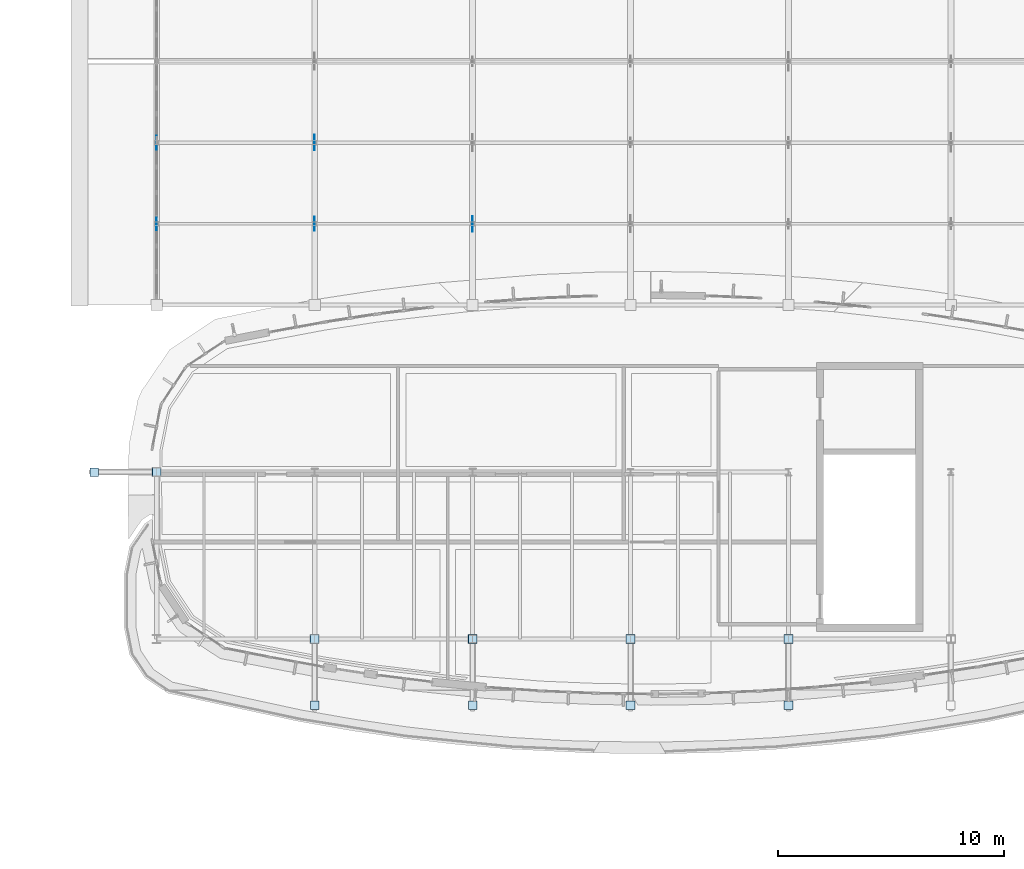
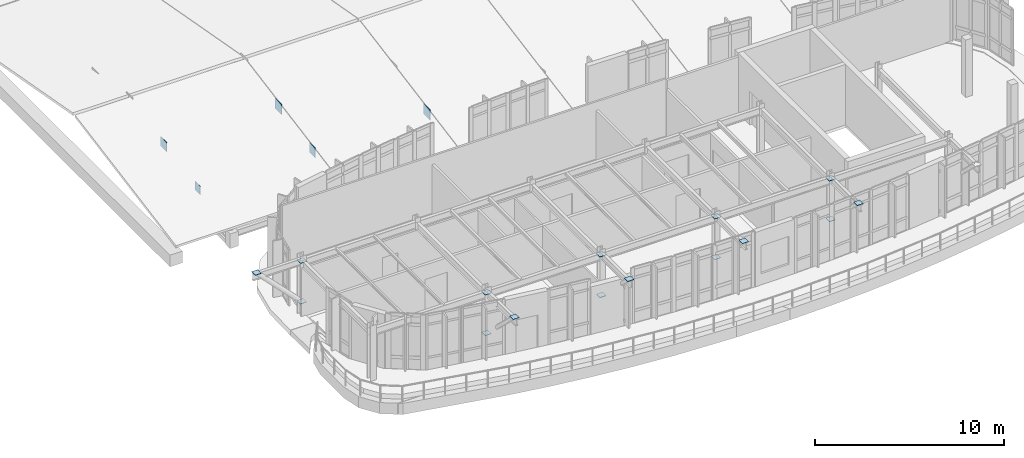
# One storey, part 80 of 105: 20 plates.
"""IFC4 building model written with IfcOpenShell, lengths in metres."""

import ifcopenshell
import ifcopenshell.guid

model = None  # the IFC model being written
_history = None  # IfcOwnerHistory: only IFC2X3 demands one
_inside = {}  # id of a spatial element -> (the spatial element, [elements in it])
_under = {}  # id of a project, library or spatial element -> (it, [spatial elements below it])
_declared = {}  # id of a project -> (the project, [libraries it declares])
_typed = {}  # id of a type object -> (the type object, [elements of that type])
_made_of = {}  # id of a material, layer set ... -> (it, [elements and type objects made of it])


def new_model(schema):
    """Start an empty IFC model of exactly this schema.

    Asked for "IFC4X3", IfcOpenShell would pick the latest addendum, in which some entities
    have other attributes; the version numbers below select the first issue.
    IFC2X3 requires an IfcOwnerHistory on every rooted entity: one is made here for all.
    """
    global model, _history
    if schema == "IFC4X3":
        model = ifcopenshell.file(schema_version=(4, 3, 0, 0))
    else:
        model = ifcopenshell.file(schema=schema)
    _inside.clear()
    _under.clear()
    _declared.clear()
    _typed.clear()
    _made_of.clear()
    _history = None
    if model.schema == "IFC2X3":
        org = make("IfcOrganization", Name="unknown")
        user = make(
            "IfcPersonAndOrganization",
            ThePerson=make("IfcPerson", FamilyName="unknown"),
            TheOrganization=org,
        )
        app = make(
            "IfcApplication",
            ApplicationDeveloper=org,
            Version="unknown",
            ApplicationFullName="unknown",
            ApplicationIdentifier="unknown",
        )
        _history = make(
            "IfcOwnerHistory",
            OwningUser=user,
            OwningApplication=app,
            ChangeAction="ADDED",
            CreationDate=0,
        )
    return model


def make(cls, **values):
    """One entity of the class cls with the attributes given. An attribute that is None is left unset."""
    return model.create_entity(
        cls, **{name: value for name, value in values.items() if value is not None}
    )


def rooted(cls, **values):
    """An entity with a GlobalId (a new one), such as an element, a storey or a relation."""
    return make(cls, GlobalId=ifcopenshell.guid.new(), OwnerHistory=_history, **values)


def si_unit(unit_type, name, prefix=None):
    """IfcSIUnit, for example si_unit("LENGTHUNIT", "METRE", prefix="MILLI")."""
    return make("IfcSIUnit", UnitType=unit_type, Prefix=prefix, Name=name)


def assignment(units):
    """IfcUnitAssignment: the units of a project."""
    return None if units is None else make("IfcUnitAssignment", Units=units)


def point(xyz):
    """IfcCartesianPoint."""
    return None if xyz is None else make("IfcCartesianPoint", Coordinates=xyz)


def direction(xyz):
    """IfcDirection."""
    return None if xyz is None else make("IfcDirection", DirectionRatios=xyz)


def frame(location, z_axis=None, x_axis=None):
    """IfcAxis2Placement3D, a coordinate frame: its origin and axes. An axis left out is left unset."""
    return make(
        "IfcAxis2Placement3D",
        Location=point(location),
        Axis=direction(z_axis),
        RefDirection=direction(x_axis),
    )


def frame_2d(location, x_axis=None):
    """IfcAxis2Placement2D, a coordinate frame in the plane: its origin and x axis."""
    return make(
        "IfcAxis2Placement2D", Location=point(location), RefDirection=direction(x_axis)
    )


def origin():
    """The frame at (0, 0, 0) with its axes left unset."""
    return frame((0.0, 0.0, 0.0))


def origin_2d():
    """The frame at (0, 0) in the plane with its x axis left unset."""
    return frame_2d((0.0, 0.0))


def place(relative_to, where):
    """IfcLocalPlacement: puts the frame where relative to a parent placement (None: the world)."""
    return make(
        "IfcLocalPlacement", PlacementRelTo=relative_to, RelativePlacement=where
    )


def context(
    kind, dimensions, precision=None, world=None, true_north=None, identifier=None
):
    """IfcGeometricRepresentationContext, for example the 3D "Model" context."""
    return make(
        "IfcGeometricRepresentationContext",
        ContextIdentifier=identifier,
        ContextType=kind,
        CoordinateSpaceDimension=dimensions,
        Precision=precision,
        WorldCoordinateSystem=world,
        TrueNorth=true_north,
    )


def subcontext(parent, identifier, kind, view, scale=None):
    """IfcGeometricRepresentationSubContext, for example "Body" below "Model"."""
    return make(
        "IfcGeometricRepresentationSubContext",
        ContextIdentifier=identifier,
        ContextType=kind,
        ParentContext=parent,
        TargetScale=scale,
        TargetView=view,
    )


def project(units=None, contexts=None):
    """IfcProject with its units and contexts."""
    return rooted(
        "IfcProject",
        Name="project",
        RepresentationContexts=contexts,
        UnitsInContext=assignment(units),
    )


def spatial(cls, under=None, at=None, **own):
    """A site, building, storey or space (cls), placed at a placement, below another one or the project."""
    s = rooted(cls, ObjectPlacement=at, **own)
    if under is not None:
        _under.setdefault(under.id(), (under, []))[1].append(s)
    return s


def profile(cls, at=None, kind="AREA", **sizes):
    """A parametric profile (cls). Its sizes go by their IFC names, for example OverallWidth=200.0."""
    return make(cls, ProfileType=kind, Position=at, **sizes)


def rectangle(**sizes):
    """IfcRectangleProfileDef."""
    return profile("IfcRectangleProfileDef", **sizes)


def extrude(swept, where, along, depth):
    """IfcExtrudedAreaSolid: the profile swept, set in the frame where, extruded along a direction by depth."""
    return make(
        "IfcExtrudedAreaSolid",
        SweptArea=swept,
        Position=where,
        ExtrudedDirection=direction(along),
        Depth=depth,
    )


def shape(context_of_items, identifier, shape_type, items):
    """IfcShapeRepresentation: the items that make up one representation, for example the "Body"."""
    return make(
        "IfcShapeRepresentation",
        ContextOfItems=context_of_items,
        RepresentationIdentifier=identifier,
        RepresentationType=shape_type,
        Items=items,
    )


def material(Name=None, Category=None):
    """IfcMaterial."""
    return make("IfcMaterial", Name=Name, Category=Category)


def layer(
    of_material, thickness, ventilated=None, Name=None, Category=None, Priority=None
):
    """IfcMaterialLayer: one layer of a wall or slab, of a material (None: an air gap)."""
    return make(
        "IfcMaterialLayer",
        Material=of_material,
        LayerThickness=thickness,
        IsVentilated=ventilated,
        Name=Name,
        Category=Category,
        Priority=Priority,
    )


def layer_set(layers, Name=None):
    """IfcMaterialLayerSet."""
    return make("IfcMaterialLayerSet", MaterialLayers=layers, LayerSetName=Name)


def made_of(thing, what):
    """Note that an element or type object is made of a material, layer set ...; save() writes the relation."""
    if what is not None:
        _made_of.setdefault(what.id(), (what, []))[1].append(thing)
    return thing


def type_object(cls, material=None, **own):
    """A type object (cls), such as IfcWallType, which elements share."""
    return made_of(rooted(cls, **own), material)


def element(
    cls,
    number,
    at=None,
    inside=None,
    cuts=None,
    type_object=None,
    material=None,
    context=None,
    identifier="Body",
    shape_type=None,
    held_by="IfcProductDefinitionShape",
    body=None,
    shapes=None,
    **own,
):
    """One element of the class cls, such as IfcWall. Its Tag is "e" and its number.

    at: its placement. inside: the storey or other place that contains it. cuts: it is an
    opening in that element (IfcRelVoidsElement). A single representation is given by context,
    identifier, shape_type and body (its items); several are given by shapes. held_by: the class
    of the entity that holds the representations. save() writes the other relations.
    """
    e = rooted(cls, Tag="e%d" % number, ObjectPlacement=at, **own)
    if body is not None:
        shapes = [shape(context, identifier, shape_type, body)]
    if shapes is not None:
        e.Representation = make(held_by, Representations=shapes)
    if inside is not None:
        _inside.setdefault(inside.id(), (inside, []))[1].append(e)
    if cuts is not None:
        rooted(
            "IfcRelVoidsElement", RelatingBuildingElement=cuts, RelatedOpeningElement=e
        )
    if type_object is not None:
        _typed.setdefault(type_object.id(), (type_object, []))[1].append(e)
    return made_of(e, material)


def aggregate(whole, parts):
    """IfcRelAggregates: a whole, such as a stair, and the parts it consists of."""
    return rooted("IfcRelAggregates", RelatingObject=whole, RelatedObjects=parts)


def save(model, path):
    """Write the relations noted so far, then the file.

    IfcRelAggregates (storeys below a building ...), IfcRelContainedInSpatialStructure (elements
    in a storey), IfcRelDefinesByType, IfcRelAssociatesMaterial and IfcRelDeclares: one each for
    every whole, place, type object, material and project.
    """
    for whole, parts in _under.values():
        aggregate(whole, parts)
    for where, things in _inside.values():
        rooted(
            "IfcRelContainedInSpatialStructure",
            RelatedElements=things,
            RelatingStructure=where,
        )
    for kind, things in _typed.values():
        rooted("IfcRelDefinesByType", RelatedObjects=things, RelatingType=kind)
    for what, things in _made_of.values():
        rooted("IfcRelAssociatesMaterial", RelatedObjects=things, RelatingMaterial=what)
    for by, libraries in _declared.values():
        rooted("IfcRelDeclares", RelatingContext=by, RelatedDefinitions=libraries)
    model.write(path)


model = new_model("IFC4")

# Units and contexts
model_context = context("Model", 3, precision=1e-05, world=origin(), true_north=direction((0.0, 1.0)))
body_context = subcontext(model_context, "Body", "Model", "MODEL_VIEW")
ifc_project = project(units=[si_unit("LENGTHUNIT", "METRE"), si_unit("AREAUNIT", "SQUARE_METRE"), si_unit("VOLUMEUNIT", "CUBIC_METRE"), si_unit("PLANEANGLEUNIT", "RADIAN"), si_unit("MASSUNIT", "GRAM", prefix="KILO")], contexts=[model_context])

# Site, building, storey
site_placement = place(None, origin())
site = spatial("IfcSite", under=ifc_project, at=site_placement, CompositionType="ELEMENT")
building_placement = place(site_placement, origin())
building = spatial("IfcBuilding", under=site, at=building_placement, Name="Corveleigh Park Community Centre", CompositionType="ELEMENT")
storey_placement = place(building_placement, frame((0.0, 0.0, 8.699951171875)))
storey = spatial("IfcBuildingStorey", under=building, at=storey_placement, Name="L02", CompositionType="ELEMENT", Elevation=8.699951171875)

# Plates
ifc_material = material(Name="Steel S355", Category="steel")
ifc_layer_1 = layer(ifc_material, 0.028076171875, Name="Steel S355", Category="steel")
ifc_layer_set_1 = layer_set([ifc_layer_1], Name="Steel S355")
plate_type_1 = type_object("IfcPlateType", Name="PLT-CAP-28", PredefinedType="SHEET", material=ifc_layer_set_1)
plate_1_placement = place(storey_placement, frame((18.199951171875, 78.0, 3.4677734375), z_axis=(0.0, 0.0, 1.0), x_axis=(1.0, 0.0, 0.0)))
element("IfcPlate", 1, at=plate_1_placement, inside=storey, type_object=plate_type_1, Name="V2 South Pebble Overhang Strut 2 Outrigger pier end plate", PredefinedType="SHEET", context=body_context, shape_type="SweptSolid", body=[
    extrude(rectangle(XDim=0.39990234375, YDim=0.39990234375, at=origin_2d()), origin(), (0.0, 0.0, 1.0), 0.028076171875),
])
for number, where, z_axis, x_axis, name in (
    (2, (18.199951171875, 78.0, 0.8359375), (0.0, 0.0, 1.0), (1.0, 0.0, 0.0), "V2 South Pebble Overhang Strut 2 base cap"),
    (3, (18.199951171875, 75.055908203125, 3.6591796875), (0.0, 0.0, 1.0), (1.0, 0.0, 0.0), "V2 South Pebble Overhang Strut 2 tip cap"),
):
    element("IfcPlate", number, at=place(storey_placement, frame(where, z_axis=z_axis, x_axis=x_axis)), inside=storey, type_object=plate_type_1, Name=name, PredefinedType="SHEET", context=body_context, shape_type="SweptSolid", body=[
        extrude(rectangle(XDim=0.3798828125, YDim=0.3798828125, at=origin_2d()), origin(), (0.0, 0.0, 1.0), 0.028076171875),
    ])
plate_2_placement = place(storey_placement, frame((25.199951171875, 78.0, 3.4677734375), z_axis=(0.0, 0.0, 1.0), x_axis=(1.0, 0.0, 0.0)))
element("IfcPlate", 4, at=plate_2_placement, inside=storey, type_object=plate_type_1, Name="V2 South Pebble Overhang Strut 3 Outrigger pier end plate", PredefinedType="SHEET", context=body_context, shape_type="SweptSolid", body=[
    extrude(rectangle(XDim=0.39990234375, YDim=0.39990234375, at=origin_2d()), origin(), (0.0, 0.0, 1.0), 0.028076171875),
])
for number, where, z_axis, x_axis, name in (
    (5, (25.199951171875, 78.0, 0.8359375), (0.0, 0.0, 1.0), (1.0, 0.0, 0.0), "V2 South Pebble Overhang Strut 3 base cap"),
    (6, (25.199951171875, 75.055908203125, 3.6591796875), (0.0, 0.0, 1.0), (1.0, 0.0, 0.0), "V2 South Pebble Overhang Strut 3 tip cap"),
):
    element("IfcPlate", number, at=place(storey_placement, frame(where, z_axis=z_axis, x_axis=x_axis)), inside=storey, type_object=plate_type_1, Name=name, PredefinedType="SHEET", context=body_context, shape_type="SweptSolid", body=[
        extrude(rectangle(XDim=0.3798828125, YDim=0.3798828125, at=origin_2d()), origin(), (0.0, 0.0, 1.0), 0.028076171875),
    ])
plate_3_placement = place(storey_placement, frame((32.199951171875, 78.0, 3.4677734375), z_axis=(0.0, 0.0, 1.0), x_axis=(1.0, 0.0, 0.0)))
element("IfcPlate", 7, at=plate_3_placement, inside=storey, type_object=plate_type_1, Name="V2 South Pebble Overhang Strut 4 Outrigger pier end plate", PredefinedType="SHEET", context=body_context, shape_type="SweptSolid", body=[
    extrude(rectangle(XDim=0.39990234375, YDim=0.39990234375, at=origin_2d()), origin(), (0.0, 0.0, 1.0), 0.028076171875),
])
for number, where, z_axis, x_axis, name in (
    (8, (32.199951171875, 78.0, 0.8359375), (0.0, 0.0, 1.0), (1.0, 0.0, 0.0), "V2 South Pebble Overhang Strut 4 base cap"),
    (9, (32.199951171875, 75.055908203125, 3.6591796875), (0.0, 0.0, 1.0), (1.0, 0.0, 0.0), "V2 South Pebble Overhang Strut 4 tip cap"),
):
    element("IfcPlate", number, at=place(storey_placement, frame(where, z_axis=z_axis, x_axis=x_axis)), inside=storey, type_object=plate_type_1, Name=name, PredefinedType="SHEET", context=body_context, shape_type="SweptSolid", body=[
        extrude(rectangle(XDim=0.3798828125, YDim=0.3798828125, at=origin_2d()), origin(), (0.0, 0.0, 1.0), 0.028076171875),
    ])
plate_4_placement = place(storey_placement, frame((39.199951171875, 78.0, 3.4677734375), z_axis=(0.0, 0.0, 1.0), x_axis=(1.0, 0.0, 0.0)))
element("IfcPlate", 10, at=plate_4_placement, inside=storey, type_object=plate_type_1, Name="V2 South Pebble Overhang Strut 5 Outrigger pier end plate", PredefinedType="SHEET", context=body_context, shape_type="SweptSolid", body=[
    extrude(rectangle(XDim=0.39990234375, YDim=0.39990234375, at=origin_2d()), origin(), (0.0, 0.0, 1.0), 0.028076171875),
])
for number, where, z_axis, x_axis, name in (
    (11, (39.199951171875, 78.0, 0.8359375), (0.0, 0.0, 1.0), (1.0, 0.0, 0.0), "V2 South Pebble Overhang Strut 5 base cap"),
    (12, (39.199951171875, 75.055908203125, 3.6591796875), (0.0, 0.0, 1.0), (1.0, 0.0, 0.0), "V2 South Pebble Overhang Strut 5 tip cap"),
):
    element("IfcPlate", number, at=place(storey_placement, frame(where, z_axis=z_axis, x_axis=x_axis)), inside=storey, type_object=plate_type_1, Name=name, PredefinedType="SHEET", context=body_context, shape_type="SweptSolid", body=[
        extrude(rectangle(XDim=0.3798828125, YDim=0.3798828125, at=origin_2d()), origin(), (0.0, 0.0, 1.0), 0.028076171875),
    ])
plate_5_placement = place(storey_placement, frame((11.199951171875, 85.39990234375, 3.4677734375), z_axis=(0.0, 0.0, 1.0), x_axis=(1.0, 0.0, 0.0)))
element("IfcPlate", 13, at=plate_5_placement, inside=storey, type_object=plate_type_1, Name="V2 West Pebble Overhang Strut 2 Outrigger pier end plate", PredefinedType="SHEET", context=body_context, shape_type="SweptSolid", body=[
    extrude(rectangle(XDim=0.39990234375, YDim=0.39990234375, at=origin_2d()), origin(), (0.0, 0.0, 1.0), 0.028076171875),
])
for number, where, z_axis, x_axis, name in (
    (14, (11.199951171875, 85.39990234375, 0.8359375), (0.0, 0.0, 1.0), (1.0, 0.0, 0.0), "V2 West Pebble Overhang Strut 2 base cap"),
    (15, (8.43994140625, 85.39990234375, 3.6591796875), (0.0, 0.0, 1.0), (1.0, 0.0, 0.0), "V2 West Pebble Overhang Strut 2 tip cap"),
):
    element("IfcPlate", number, at=place(storey_placement, frame(where, z_axis=z_axis, x_axis=x_axis)), inside=storey, type_object=plate_type_1, Name=name, PredefinedType="SHEET", context=body_context, shape_type="SweptSolid", body=[
        extrude(rectangle(XDim=0.3798828125, YDim=0.3798828125, at=origin_2d()), origin(), (0.0, 0.0, 1.0), 0.028076171875),
    ])
ifc_layer_2 = layer(ifc_material, 0.02001953125, Name="Steel S355", Category="steel")
ifc_layer_set_2 = layer_set([ifc_layer_2], Name="Steel S355")
plate_type_2 = type_object("IfcPlateType", Name="PLT-GUS-20", PredefinedType="SHEET", material=ifc_layer_set_2)
plate_6_placement = place(storey_placement, frame((11.199951171875, 96.39990234375, 1.22509765625), z_axis=(0.0, 0.0, 1.0), x_axis=(0.0, 1.0, 0.0)))
element("IfcPlate", 16, at=plate_6_placement, inside=storey, type_object=plate_type_2, Name="V2 Truss 1 Gusset", PredefinedType="SHEET", context=body_context, shape_type="SweptSolid", body=[
    extrude(rectangle(XDim=0.550048828125, YDim=0.02001953125, at=origin_2d()), origin(), (0.0, 0.0, 1.0), 0.550048828125),
])
ifc_layer_3 = layer(ifc_material, 0.02392578125, Name="Steel S355", Category="steel")
ifc_layer_set_3 = layer_set([ifc_layer_3], Name="Steel S355")
plate_type_3 = type_object("IfcPlateType", Name="PLT-GUS-24", PredefinedType="SHEET", material=ifc_layer_set_3)
for number, where, z_axis, x_axis, name in (
    (17, (11.199951171875, 100.0, 1.840087890625), (0.0, 0.0, 1.0), (0.0, 1.0, 0.0), "V2 Truss 1 Gusset"),
    (18, (18.199951171875, 96.39990234375, 1.18994140625), (0.0, 0.0, 1.0), (0.0, 1.0, 0.0), "V2 Truss 2 Gusset"),
):
    element("IfcPlate", number, at=place(storey_placement, frame(where, z_axis=z_axis, x_axis=x_axis)), inside=storey, type_object=plate_type_3, Name=name, PredefinedType="SHEET", context=body_context, shape_type="SweptSolid", body=[
        extrude(rectangle(XDim=0.6201171875, YDim=0.02392578125, at=origin_2d()), origin(), (0.0, 0.0, 1.0), 0.6201171875),
    ])
ifc_layer_4 = layer(ifc_material, 0.02587890625, Name="Steel S355", Category="steel")
ifc_layer_set_4 = layer_set([ifc_layer_4], Name="Steel S355")
plate_type_4 = type_object("IfcPlateType", Name="PLT-GUS-26", PredefinedType="SHEET", material=ifc_layer_set_4)
for number, where, z_axis, x_axis, name in (
    (19, (18.199951171875, 100.0, 1.81005859375), (0.0, 0.0, 1.0), (0.0, 1.0, 0.0), "V2 Truss 2 Gusset"),
    (20, (25.199951171875, 96.39990234375, 1.16015625), (0.0, 0.0, 1.0), (0.0, 1.0, 0.0), "V2 Truss 3 Gusset"),
):
    element("IfcPlate", number, at=place(storey_placement, frame(where, z_axis=z_axis, x_axis=x_axis)), inside=storey, type_object=plate_type_4, Name=name, PredefinedType="SHEET", context=body_context, shape_type="SweptSolid", body=[
        extrude(rectangle(XDim=0.679931640625, YDim=0.02587890625, at=origin_2d()), origin(), (0.0, 0.0, 1.0), 0.679931640625),
    ])

save(model, "model.ifc")
